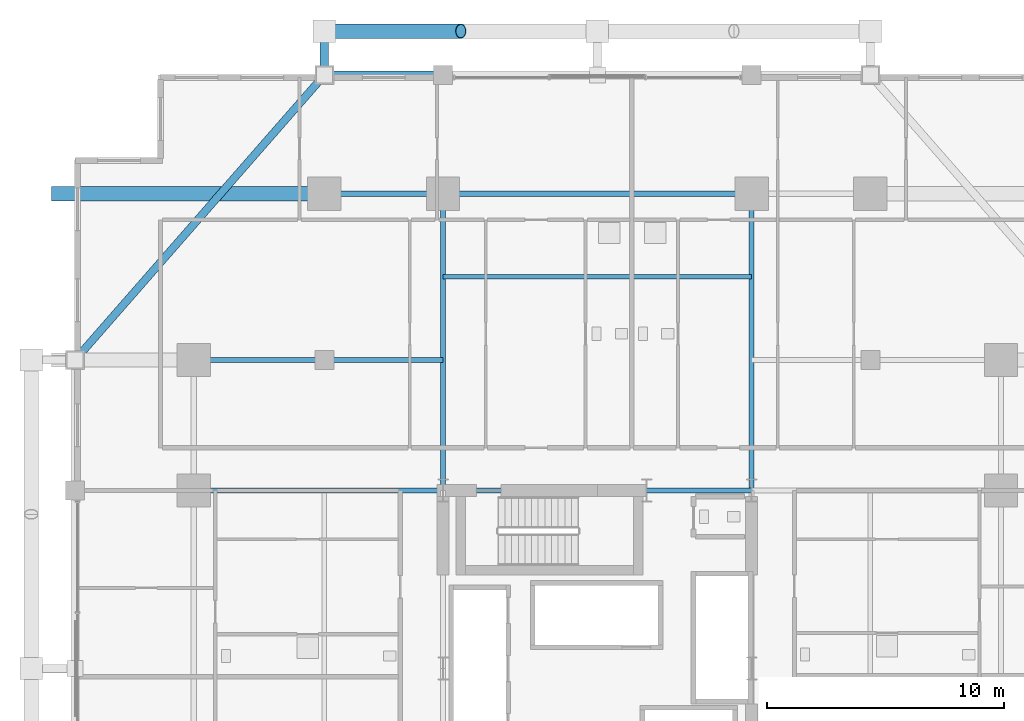
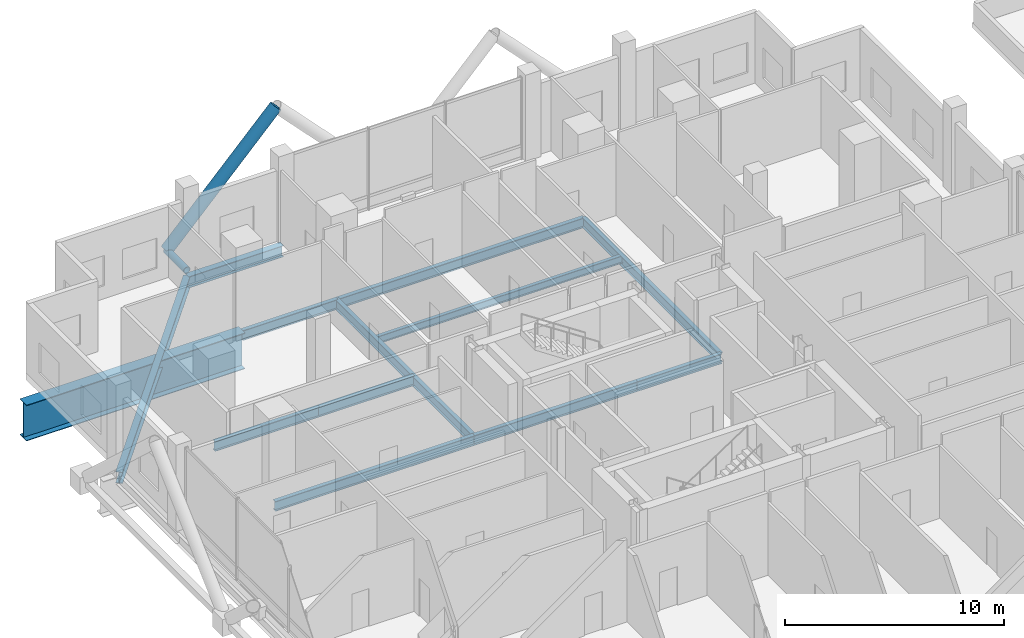
# One storey, part 15 of 33: 13 beams, 2 members.
"""IFC4 building model written with IfcOpenShell, lengths in metres."""

from ifc_helpers import new_model, si_unit, direction, frame, origin, origin_2d, place, context, subcontext, project, spatial, hollow_circle, i_section, extrude, material, material_profile, profile_set, type_object, element, save


model = new_model("IFC4")

# Units and contexts
model_context = context("Model", 3, precision=1e-05, world=origin(), true_north=direction((0.0, 1.0)))
body_context = subcontext(model_context, "Body", "Model", "MODEL_VIEW")
ifc_project = project(units=[si_unit("LENGTHUNIT", "METRE"), si_unit("AREAUNIT", "SQUARE_METRE"), si_unit("VOLUMEUNIT", "CUBIC_METRE"), si_unit("PLANEANGLEUNIT", "RADIAN"), si_unit("MASSUNIT", "GRAM", prefix="KILO")], contexts=[model_context])

# Site, building, storey
site_placement = place(None, origin())
site = spatial("IfcSite", under=ifc_project, at=site_placement, CompositionType="ELEMENT")
building_placement = place(site_placement, origin())
building = spatial("IfcBuilding", under=site, at=building_placement, Name="Barlavira Tower and Art Museum", CompositionType="ELEMENT")
storey_placement = place(building_placement, frame((0.0, 0.0, 27.60009765625)))
storey = spatial("IfcBuildingStorey", under=building, at=storey_placement, Name="L05", CompositionType="ELEMENT", Elevation=27.60009765625)

# Members
ifc_material = material(Name="Steel S355", Category="steel")
ifc_material_profile_1 = material_profile(ifc_material, hollow_circle(Radius=0.304931640625, WallThickness=0.028076171875, at=origin_2d()), Name="CHS 610.0x28.0")
ifc_profile_set_1 = profile_set([ifc_material_profile_1], Name="Steel S355")
member_type_1 = type_object("IfcMemberType", Name="Pale-Metal Exoskeleton Diagrid Tube CHS 610x28 Steel S355", PredefinedType="BRACE", material=ifc_profile_set_1)
member_1_placement = place(storey_placement, frame((-11.5, 26.85009765625, -0.1201171875), z_axis=(0.691905363236, 0.0, 0.721988205115), x_axis=(0.0, 1.0, 0.0)))
element("IfcMember", 1, at=member_1_placement, inside=storey, type_object=member_type_1, Name="L05 Exoskeleton Diagrid Tube N", PredefinedType="BRACE", context=body_context, shape_type="SweptSolid", body=[
    extrude(hollow_circle(Radius=0.304931640625, WallThickness=0.028076171875, at=origin_2d()), origin(), (0.0, 0.0, 1.0), 8.310302734375),
])
ifc_material_profile_2 = material_profile(ifc_material, hollow_circle(Radius=0.177734375, WallThickness=0.01611328125, at=origin_2d()), Name="CHS 355.6x16.0")
ifc_profile_set_2 = profile_set([ifc_material_profile_2], Name="Steel S355")
member_type_2 = type_object("IfcMemberType", Name="Pale-Metal Exoskeleton Tie Strut CHS 356x16 Steel S355", PredefinedType="STRUT", material=ifc_profile_set_2)
member_2_placement = place(storey_placement, frame((-11.5, 26.85009765625, -0.1201171875), z_axis=(0.0, -1.0, 0.0), x_axis=(1.0, 0.0, 0.0)))
element("IfcMember", 2, at=member_2_placement, inside=storey, type_object=member_type_2, Name="L05 Exoskeleton Tie Strut N1", PredefinedType="STRUT", context=body_context, shape_type="SweptSolid", body=[
    extrude(hollow_circle(Radius=0.177734375, WallThickness=0.01611328125, at=origin_2d()), origin(), (0.0, 0.0, 1.0), 1.85009765625),
])

# Beams
ifc_material_profile_3 = material_profile(ifc_material, i_section(OverallWidth=0.327880859375, OverallDepth=0.62890625, WebThickness=0.013916015625, FlangeThickness=0.021484375, at=origin_2d()), Name="W610x174.0")
ifc_profile_set_3 = profile_set([ifc_material_profile_3], Name="Steel S355")
beam_type_1 = type_object("IfcBeamType", Name="Perimeter Spandrel Edge Beam W610x174 Steel S355", PredefinedType="SPANDREL", material=ifc_profile_set_3)
beam_1_placement = place(storey_placement, frame((-11.5, 25.0, -0.714599609375), z_axis=(1.0, 0.0, 0.0), x_axis=(0.0, 1.0, 0.0)))
element("IfcBeam", 3, at=beam_1_placement, inside=storey, type_object=beam_type_1, Name="L05 Spandrel 11", PredefinedType="SPANDREL", context=body_context, shape_type="SweptSolid", body=[
    extrude(i_section(OverallWidth=0.327880859375, OverallDepth=0.62890625, WebThickness=0.013916015625, FlangeThickness=0.021484375, at=origin_2d()), origin(), (0.0, 0.0, 1.0), 5.0),
])
beam_2_placement = place(storey_placement, frame((-11.5, 25.0, -0.714599609375), z_axis=(-0.658504607869, -0.752576694707, 0.0), x_axis=(0.752576694707, -0.658504607869, 0.0)))
element("IfcBeam", 4, at=beam_2_placement, inside=storey, type_object=beam_type_1, Name="L05 Spandrel 12", PredefinedType="SPANDREL", context=body_context, shape_type="SweptSolid", body=[
    extrude(i_section(OverallWidth=0.327880859375, OverallDepth=0.62890625, WebThickness=0.013916015625, FlangeThickness=0.021484375, at=origin_2d()), origin(), (0.0, 0.0, 1.0), 15.9453125),
])
ifc_material_profile_4 = material_profile(ifc_material, i_section(OverallWidth=0.60009765625, OverallDepth=2.0, WebThickness=0.028076171875, FlangeThickness=0.034912109375, at=origin_2d()), Name="CVS2000x580")
ifc_profile_set_4 = profile_set([ifc_material_profile_4], Name="Steel S355")
beam_type_2 = type_object("IfcBeamType", Name="Podium Top Transfer Girder CVS2000x580 Steel S355", PredefinedType="USERDEFINED", material=ifc_profile_set_4)
beam_3_placement = place(storey_placement, frame((-23.0, 20.0, -1.400146484375), z_axis=(1.0, 0.0, 0.0), x_axis=(0.0, 1.0, 0.0)))
element("IfcBeam", 5, at=beam_3_placement, inside=storey, type_object=beam_type_2, Name="L05 Transfer Girder TG05-03", ObjectType="TRANSFER GIRDER", PredefinedType="USERDEFINED", context=body_context, shape_type="SweptSolid", body=[
    extrude(i_section(OverallWidth=0.60009765625, OverallDepth=2.0, WebThickness=0.028076171875, FlangeThickness=0.034912109375, at=origin_2d()), origin(), (0.0, 0.0, 1.0), 11.5),
])
ifc_material_profile_5 = material_profile(ifc_material, i_section(OverallWidth=0.180908203125, OverallDepth=0.4169921875, WebThickness=0.010986328125, FlangeThickness=0.018310546875, at=origin_2d()), Name="W410x85.0")
ifc_profile_set_5 = profile_set([ifc_material_profile_5], Name="Steel S355")
beam_type_3 = type_object("IfcBeamType", Name="Zone 1 Composite Floor Joist W410x85 Steel S355", PredefinedType="JOIST", material=ifc_profile_set_5)
beam_4_placement = place(storey_placement, frame((-6.5, 16.5, -0.608642578125), z_axis=(1.0, 0.0, 0.0), x_axis=(0.0, 1.0, 0.0)))
element("IfcBeam", 6, at=beam_4_placement, inside=storey, type_object=beam_type_3, Name="L05 Joist C2", PredefinedType="JOIST", context=body_context, shape_type="SweptSolid", body=[
    extrude(i_section(OverallWidth=0.180908203125, OverallDepth=0.4169921875, WebThickness=0.010986328125, FlangeThickness=0.018310546875, at=origin_2d()), origin(), (0.0, 0.0, 1.0), 13.0),
])
ifc_material_profile_6 = material_profile(ifc_material, i_section(OverallWidth=0.214111328125, OverallDepth=0.549072265625, WebThickness=0.0146484375, FlangeThickness=0.023681640625, at=origin_2d()), Name="W530x138.0")
ifc_profile_set_6 = profile_set([ifc_material_profile_6], Name="Steel S355")
beam_type_4 = type_object("IfcBeamType", Name="Zone 1 Primary Floor Girder W530x138 Steel S355", PredefinedType="BEAM", material=ifc_profile_set_6)
beam_5_placement = place(storey_placement, frame((-6.5, 7.5, -0.674560546875), z_axis=(1.0, 0.0, 0.0), x_axis=(0.0, 1.0, 0.0)))
element("IfcBeam", 7, at=beam_5_placement, inside=storey, type_object=beam_type_4, Name="L05 Girder C-N1", PredefinedType="BEAM", context=body_context, shape_type="SweptSolid", body=[
    extrude(i_section(OverallWidth=0.214111328125, OverallDepth=0.549072265625, WebThickness=0.0146484375, FlangeThickness=0.023681640625, at=origin_2d()), origin(), (0.0, 0.0, 1.0), 8.580078125),
])
beam_6_placement = place(storey_placement, frame((2.080078125, 7.5, -0.674560546875), z_axis=(1.0, 0.0, 0.0), x_axis=(0.0, 1.0, 0.0)))
element("IfcBeam", 8, at=beam_6_placement, inside=storey, type_object=beam_type_4, Name="L05 Girder C-N2", PredefinedType="BEAM", context=body_context, shape_type="SweptSolid", body=[
    extrude(i_section(OverallWidth=0.214111328125, OverallDepth=0.549072265625, WebThickness=0.0146484375, FlangeThickness=0.023681640625, at=origin_2d()), origin(), (0.0, 0.0, 1.0), 4.419921875),
])
beam_7_placement = place(storey_placement, frame((-11.5, 20.0, -0.674560546875), z_axis=(1.0, 0.0, 0.0), x_axis=(0.0, 1.0, 0.0)))
element("IfcBeam", 9, at=beam_7_placement, inside=storey, type_object=beam_type_4, Name="L05 Girder M-N1", PredefinedType="BEAM", context=body_context, shape_type="SweptSolid", body=[
    extrude(i_section(OverallWidth=0.214111328125, OverallDepth=0.549072265625, WebThickness=0.0146484375, FlangeThickness=0.023681640625, at=origin_2d()), origin(), (0.0, 0.0, 1.0), 5.0),
])
beam_8_placement = place(storey_placement, frame((-6.5, 20.0, -0.674560546875), z_axis=(1.0, 0.0, 0.0), x_axis=(0.0, 1.0, 0.0)))
element("IfcBeam", 10, at=beam_8_placement, inside=storey, type_object=beam_type_4, Name="L05 Girder M-N2", PredefinedType="BEAM", context=body_context, shape_type="SweptSolid", body=[
    extrude(i_section(OverallWidth=0.214111328125, OverallDepth=0.549072265625, WebThickness=0.0146484375, FlangeThickness=0.023681640625, at=origin_2d()), origin(), (0.0, 0.0, 1.0), 13.0),
])
for number, where, z_axis, x_axis, name in (
    (11, (-6.5, 7.5, -0.674560546875), (0.0, 1.0, 0.0), (-1.0, 0.0, 0.0), "L05 Girder R-N1"),
    (12, (6.5, 7.5, -0.674560546875), (0.0, 1.0, 0.0), (-1.0, 0.0, 0.0), "L05 Girder R-N2"),
):
    element("IfcBeam", number, at=place(storey_placement, frame(where, z_axis=z_axis, x_axis=x_axis)), inside=storey, type_object=beam_type_4, Name=name, PredefinedType="BEAM", context=body_context, shape_type="SweptSolid", body=[
        extrude(i_section(OverallWidth=0.214111328125, OverallDepth=0.549072265625, WebThickness=0.0146484375, FlangeThickness=0.023681640625, at=origin_2d()), origin(), (0.0, 0.0, 1.0), 12.5),
    ])
beam_9_placement = place(storey_placement, frame((-17.0, 7.5, -0.674560546875), z_axis=(1.0, 0.0, 0.0), x_axis=(0.0, 1.0, 0.0)))
element("IfcBeam", 13, at=beam_9_placement, inside=storey, type_object=beam_type_4, Name="L05 Girder R-W2", PredefinedType="BEAM", context=body_context, shape_type="SweptSolid", body=[
    extrude(i_section(OverallWidth=0.214111328125, OverallDepth=0.549072265625, WebThickness=0.0146484375, FlangeThickness=0.023681640625, at=origin_2d()), origin(), (0.0, 0.0, 1.0), 10.5),
])
beam_10_placement = place(storey_placement, frame((-17.0, 13.0, -0.674560546875), z_axis=(1.0, 0.0, 0.0), x_axis=(0.0, 1.0, 0.0)))
element("IfcBeam", 14, at=beam_10_placement, inside=storey, type_object=beam_type_4, Name="L05 Girder I-N1", PredefinedType="BEAM", context=body_context, shape_type="SweptSolid", body=[
    extrude(i_section(OverallWidth=0.214111328125, OverallDepth=0.549072265625, WebThickness=0.0146484375, FlangeThickness=0.023681640625, at=origin_2d()), origin(), (0.0, 0.0, 1.0), 5.5),
])
beam_11_placement = place(storey_placement, frame((-11.5, 13.0, -0.674560546875), z_axis=(1.0, 0.0, 0.0), x_axis=(0.0, 1.0, 0.0)))
element("IfcBeam", 15, at=beam_11_placement, inside=storey, type_object=beam_type_4, Name="L05 Girder I-N2", PredefinedType="BEAM", context=body_context, shape_type="SweptSolid", body=[
    extrude(i_section(OverallWidth=0.214111328125, OverallDepth=0.549072265625, WebThickness=0.0146484375, FlangeThickness=0.023681640625, at=origin_2d()), origin(), (0.0, 0.0, 1.0), 5.0),
])

save(model, "model.ifc")
